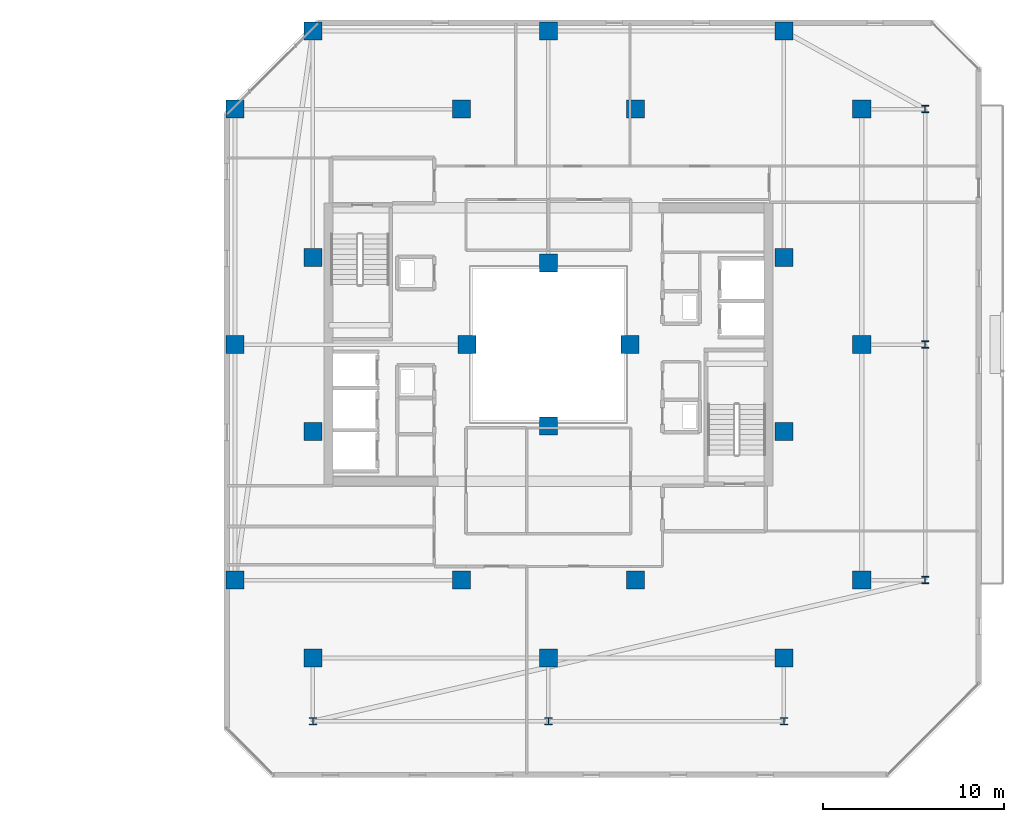
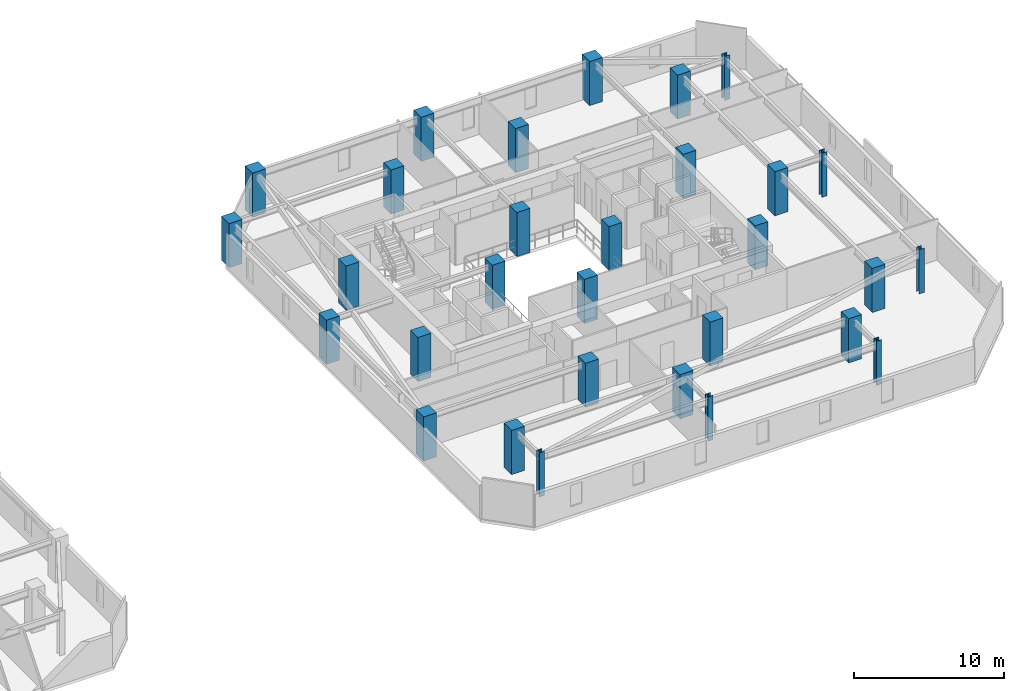
# One storey, part 2 of 32: 30 columns.
"""IFC4 building model written with IfcOpenShell, lengths in metres."""

from ifc_helpers import new_model, si_unit, direction, frame, origin, origin_2d, place, context, subcontext, project, spatial, rectangle, i_section, extrude, material, material_profile, profile_set, type_object, element, save


model = new_model("IFC4")

# Units and contexts
model_context = context("Model", 3, precision=1e-05, world=origin(), true_north=direction((0.0, 1.0)))
body_context = subcontext(model_context, "Body", "Model", "MODEL_VIEW")
ifc_project = project(units=[si_unit("LENGTHUNIT", "METRE"), si_unit("AREAUNIT", "SQUARE_METRE"), si_unit("VOLUMEUNIT", "CUBIC_METRE"), si_unit("PLANEANGLEUNIT", "RADIAN"), si_unit("MASSUNIT", "GRAM", prefix="KILO")], contexts=[model_context])

# Site, building, storey
site_placement = place(None, origin())
site = spatial("IfcSite", under=ifc_project, at=site_placement, CompositionType="ELEMENT")
building_placement = place(site_placement, origin())
building = spatial("IfcBuilding", under=site, at=building_placement, Name="Thornwick Lancets Civic Towers", CompositionType="ELEMENT")
storey_placement = place(building_placement, frame((0.0, 0.0, 243.89990234375)))
storey = spatial("IfcBuildingStorey", under=building, at=storey_placement, Name="L65", CompositionType="ELEMENT", Elevation=243.89990234375)

# Columns
ifc_material_1 = material(Name="Concrete C50/60", Category="concrete")
ifc_material_profile_1 = material_profile(ifc_material_1, rectangle(XDim=1.0, YDim=1.0, at=origin_2d()), Name="RC 1000x1000")
ifc_profile_set_1 = profile_set([ifc_material_profile_1], Name="Concrete C50/60")
column_type_1 = type_object("IfcColumnType", Name="COL_RC_1000", PredefinedType="COLUMN", material=ifc_profile_set_1)
for number, where, z_axis, x_axis, name in (
    (1, (105.800048828125, 14.0, 0.0), (0.0, 0.0, 1.0), (1.0, 0.0, 0.0), "L65 Spine Mega-Column B01"),
    (2, (105.800048828125, 27.0, 0.0), (0.0, 0.0, 1.0), (1.0, 0.0, 0.0), "L65 Spine Mega-Column B02"),
    (3, (105.800048828125, 40.0, 0.0), (0.0, 0.0, 1.0), (1.0, 0.0, 0.0), "L65 Spine Mega-Column B03"),
    (4, (101.5, 44.300048828125, 0.0), (0.0, 0.0, 1.0), (1.0, 0.0, 0.0), "L65 Spine Mega-Column B04"),
    (5, (88.5, 44.300048828125, 0.0), (0.0, 0.0, 1.0), (1.0, 0.0, 0.0), "L65 Spine Mega-Column B05"),
    (6, (75.5, 44.300048828125, 0.0), (0.0, 0.0, 1.0), (1.0, 0.0, 0.0), "L65 Spine Mega-Column B06"),
    (7, (71.199951171875, 14.0, 0.0), (0.0, 0.0, 1.0), (1.0, 0.0, 0.0), "L65 Spine Mega-Column B07"),
    (8, (71.199951171875, 27.0, 0.0), (0.0, 0.0, 1.0), (1.0, 0.0, 0.0), "L65 Spine Mega-Column B08"),
    (9, (71.199951171875, 40.0, 0.0), (0.0, 0.0, 1.0), (1.0, 0.0, 0.0), "L65 Spine Mega-Column B09"),
    (10, (101.5, 9.699951171875, 0.0), (0.0, 0.0, 1.0), (1.0, 0.0, 0.0), "L65 Spine Mega-Column B10"),
    (11, (88.5, 9.699951171875, 0.0), (0.0, 0.0, 1.0), (1.0, 0.0, 0.0), "L65 Spine Mega-Column B11"),
    (12, (75.5, 9.699951171875, 0.0), (0.0, 0.0, 1.0), (1.0, 0.0, 0.0), "L65 Spine Mega-Column B12"),
    (13, (93.300048828125, 14.0, 0.0), (0.0, 0.0, 1.0), (1.0, 0.0, 0.0), "L65 Spine Mega-Column B13"),
    (14, (93.300048828125, 40.0, 0.0), (0.0, 0.0, 1.0), (1.0, 0.0, 0.0), "L65 Spine Mega-Column B14"),
    (15, (83.699951171875, 14.0, 0.0), (0.0, 0.0, 1.0), (1.0, 0.0, 0.0), "L65 Spine Mega-Column B15"),
    (16, (83.699951171875, 40.0, 0.0), (0.0, 0.0, 1.0), (1.0, 0.0, 0.0), "L65 Spine Mega-Column B16"),
    (17, (101.5, 22.199951171875, 0.0), (0.0, 0.0, 1.0), (1.0, 0.0, 0.0), "L65 Spine Mega-Column B17"),
    (18, (101.5, 31.800048828125, 0.0), (0.0, 0.0, 1.0), (1.0, 0.0, 0.0), "L65 Spine Mega-Column B18"),
    (19, (75.5, 22.199951171875, 0.0), (0.0, 0.0, 1.0), (1.0, 0.0, 0.0), "L65 Spine Mega-Column B19"),
    (20, (75.5, 31.800048828125, 0.0), (0.0, 0.0, 1.0), (1.0, 0.0, 0.0), "L65 Spine Mega-Column B20"),
    (21, (93.0, 27.0, 0.0), (0.0, 0.0, 1.0), (1.0, 0.0, 0.0), "L65 Spine Mega-Column B21"),
    (22, (84.0, 27.0, 0.0), (0.0, 0.0, 1.0), (1.0, 0.0, 0.0), "L65 Spine Mega-Column B22"),
    (23, (88.5, 22.5, 0.0), (0.0, 0.0, 1.0), (1.0, 0.0, 0.0), "L65 Spine Mega-Column B23"),
    (24, (88.5, 31.5, 0.0), (0.0, 0.0, 1.0), (1.0, 0.0, 0.0), "L65 Spine Mega-Column B24"),
):
    element("IfcColumn", number, at=place(storey_placement, frame(where, z_axis=z_axis, x_axis=x_axis)), inside=storey, type_object=column_type_1, Name=name, PredefinedType="COLUMN", context=body_context, shape_type="SweptSolid", body=[
        extrude(rectangle(XDim=1.0, YDim=1.0, at=origin_2d()), origin(), (0.0, 0.0, 1.0), 3.60009765625),
    ])
ifc_material_2 = material(Name="Steel S355JR", Category="steel")
ifc_material_profile_2 = material_profile(ifc_material_2, i_section(OverallWidth=0.39892578125, OverallDepth=0.3935546875, WebThickness=0.022705078125, FlangeThickness=0.03662109375, FilletRadius=0.01513671875, at=origin_2d()), Name="UKC 356x406x287")
ifc_profile_set_2 = profile_set([ifc_material_profile_2], Name="Steel S355JR")
column_type_2 = type_object("IfcColumnType", Name="COL_UKC_287", PredefinedType="COLUMN", material=ifc_profile_set_2)
for number, where, z_axis, x_axis, name in (
    (25, (109.300048828125, 14.0, 0.0), (0.0, 0.0, 1.0), (1.0, 0.0, 0.0), "L65 Block Perimeter Column B01"),
    (26, (109.300048828125, 27.0, 0.0), (0.0, 0.0, 1.0), (1.0, 0.0, 0.0), "L65 Block Perimeter Column B02"),
    (27, (109.300048828125, 40.0, 0.0), (0.0, 0.0, 1.0), (1.0, 0.0, 0.0), "L65 Block Perimeter Column B03"),
    (28, (101.5, 6.199951171875, 0.0), (0.0, 0.0, 1.0), (1.0, 0.0, 0.0), "L65 Block Perimeter Column B10"),
    (29, (88.5, 6.199951171875, 0.0), (0.0, 0.0, 1.0), (1.0, 0.0, 0.0), "L65 Block Perimeter Column B11"),
    (30, (75.5, 6.199951171875, 0.0), (0.0, 0.0, 1.0), (1.0, 0.0, 0.0), "L65 Block Perimeter Column B12"),
):
    element("IfcColumn", number, at=place(storey_placement, frame(where, z_axis=z_axis, x_axis=x_axis)), inside=storey, type_object=column_type_2, Name=name, PredefinedType="COLUMN", context=body_context, shape_type="SweptSolid", body=[
        extrude(i_section(OverallWidth=0.39892578125, OverallDepth=0.3935546875, WebThickness=0.022705078125, FlangeThickness=0.03662109375, FilletRadius=0.01513671875, at=origin_2d()), origin(), (0.0, 0.0, 1.0), 3.60009765625),
    ])

save(model, "model.ifc")
